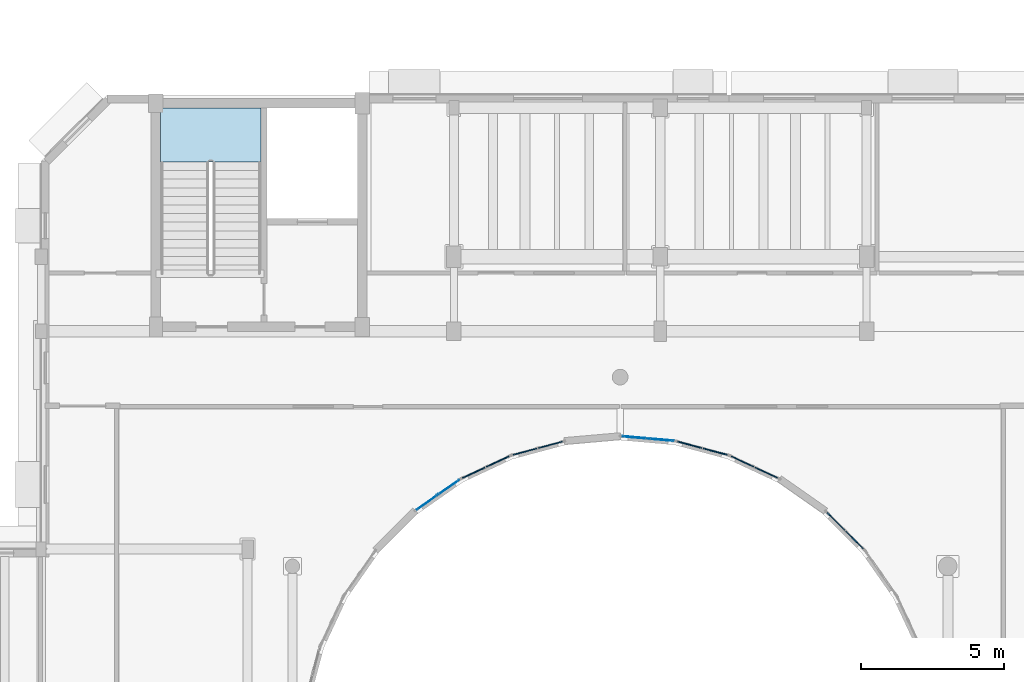
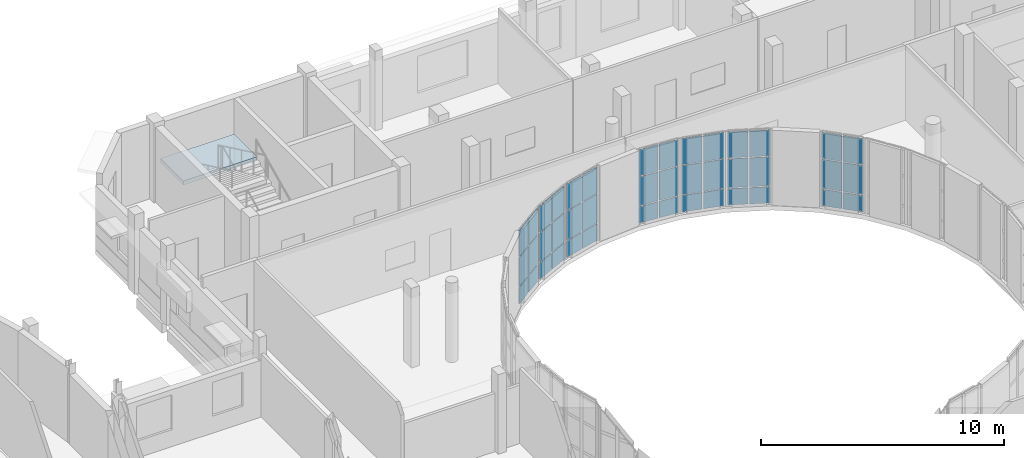
# One storey, part 70 of 105: 42 plates, 1 slab, 8 elements without a shape of their own.
"""IFC4 building model written with IfcOpenShell, lengths in metres."""

from ifc_helpers import new_model, si_unit, direction, frame, origin, origin_2d, place, context, subcontext, project, spatial, polyline, rectangle, outline, extrude, material, layer, layer_set, type_object, element, aggregate, save


model = new_model("IFC4")

# Units and contexts
model_context = context("Model", 3, precision=1e-05, world=origin(), true_north=direction((0.0, 1.0)))
body_context = subcontext(model_context, "Body", "Model", "MODEL_VIEW")
ifc_project = project(units=[si_unit("LENGTHUNIT", "METRE"), si_unit("AREAUNIT", "SQUARE_METRE"), si_unit("VOLUMEUNIT", "CUBIC_METRE"), si_unit("PLANEANGLEUNIT", "RADIAN"), si_unit("MASSUNIT", "GRAM", prefix="KILO")], contexts=[model_context])

# Site, building, storey
site_placement = place(None, origin())
site = spatial("IfcSite", under=ifc_project, at=site_placement, CompositionType="ELEMENT")
building_placement = place(site_placement, origin())
building = spatial("IfcBuilding", under=site, at=building_placement, Name="Kelanivale Promenade Academy", CompositionType="ELEMENT")
storey_placement = place(building_placement, frame((0.0, 0.0, 4.199951171875)))
storey = spatial("IfcBuildingStorey", under=building, at=storey_placement, Name="L01", CompositionType="ELEMENT", Elevation=4.199951171875)

# Curtain wall, plates
ifc_material_1 = material(Name="Bronze anodised aluminium and solar-control low-E glass", Category="aluminium")
ifc_layer_1 = layer(ifc_material_1, 0.169921875)
ifc_layer_set_1 = layer_set([ifc_layer_1], Name="Bronze anodised aluminium and solar-control low-E glass")
curtain_wall_type_1 = type_object("IfcCurtainWallType", Name="CW-07 Curtain Wall 1350mm Module", PredefinedType="USERDEFINED", material=ifc_layer_set_1)
curtain_wall_1_placement = place(storey_placement, origin())
curtain_wall_1 = element("IfcCurtainWall", 1, at=curtain_wall_1_placement, inside=storey, type_object=curtain_wall_type_1, Name="L01 courtyard curtain wall CW-07", ObjectType="UNITISED GLAZING", PredefinedType="USERDEFINED")
ifc_material_2 = material(Name="Solar-control double glazing 28 mm", Category="glass")
ifc_layer_2 = layer(ifc_material_2, 0.028076171875)
ifc_layer_set_2 = layer_set([ifc_layer_2], Name="Solar-control double glazing 28 mm")
plate_type_1 = type_object("IfcPlateType", Name="CWP-01 Plate 28mm", PredefinedType="CURTAIN_PANEL", material=ifc_layer_set_2)
plate_1_placement = place(storey_placement, frame((71.577392578125, 64.3173828125, 0.05029296875), z_axis=(0.0, 0.0, 1.0), x_axis=(-0.707106781187, 0.707106781187, 0.0)))
plate_1 = element("IfcPlate", 2, at=plate_1_placement, type_object=plate_type_1, Name="CW-07 panel 1.1", PredefinedType="CURTAIN_PANEL", context=body_context, shape_type="SweptSolid", body=[
    extrude(rectangle(XDim=0.852783203125, YDim=0.028076171875, at=origin_2d()), origin(), (0.0, 0.0, 1.0), 0.824951171875),
])
plate_2_placement = place(storey_placement, frame((71.577392578125, 64.3173828125, 0.92529296875), z_axis=(0.0, 0.0, 1.0), x_axis=(-0.707106781187, 0.707106781187, 0.0)))
plate_2 = element("IfcPlate", 3, at=plate_2_placement, type_object=plate_type_1, Name="CW-07 panel 1.2", PredefinedType="CURTAIN_PANEL", context=body_context, shape_type="SweptSolid", body=[
    extrude(rectangle(XDim=0.852783203125, YDim=0.028076171875, at=origin_2d()), origin(), (0.0, 0.0, 1.0), 1.449951171875),
])
plate_3_placement = place(storey_placement, frame((71.577392578125, 64.3173828125, 2.42529296875), z_axis=(0.0, 0.0, 1.0), x_axis=(-0.707106781187, 0.707106781187, 0.0)))
plate_3 = element("IfcPlate", 4, at=plate_3_placement, type_object=plate_type_1, Name="CW-07 panel 1.3", PredefinedType="CURTAIN_PANEL", context=body_context, shape_type="SweptSolid", body=[
    extrude(rectangle(XDim=0.852783203125, YDim=0.028076171875, at=origin_2d()), origin(), (0.0, 0.0, 1.0), 1.304931640625),
])
plate_4_placement = place(storey_placement, frame((70.928466796875, 64.966552734375, 0.05029296875), z_axis=(0.0, 0.0, 1.0), x_axis=(-0.707106781187, 0.707106781187, 0.0)))
plate_4 = element("IfcPlate", 5, at=plate_4_placement, type_object=plate_type_1, Name="CW-07 panel 2.1", PredefinedType="CURTAIN_PANEL", context=body_context, shape_type="SweptSolid", body=[
    extrude(rectangle(XDim=0.852783203125, YDim=0.028076171875, at=origin_2d()), origin(), (0.0, 0.0, 1.0), 0.824951171875),
])
plate_5_placement = place(storey_placement, frame((70.928466796875, 64.966552734375, 0.92529296875), z_axis=(0.0, 0.0, 1.0), x_axis=(-0.707106781187, 0.707106781187, 0.0)))
plate_5 = element("IfcPlate", 6, at=plate_5_placement, type_object=plate_type_1, Name="CW-07 panel 2.2", PredefinedType="CURTAIN_PANEL", context=body_context, shape_type="SweptSolid", body=[
    extrude(rectangle(XDim=0.852783203125, YDim=0.028076171875, at=origin_2d()), origin(), (0.0, 0.0, 1.0), 1.449951171875),
])
plate_6_placement = place(storey_placement, frame((70.928466796875, 64.966552734375, 2.42529296875), z_axis=(0.0, 0.0, 1.0), x_axis=(-0.707106781187, 0.707106781187, 0.0)))
plate_6 = element("IfcPlate", 7, at=plate_6_placement, type_object=plate_type_1, Name="CW-07 panel 2.3", PredefinedType="CURTAIN_PANEL", context=body_context, shape_type="SweptSolid", body=[
    extrude(rectangle(XDim=0.852783203125, YDim=0.028076171875, at=origin_2d()), origin(), (0.0, 0.0, 1.0), 1.304931640625),
])
aggregate(curtain_wall_1, [plate_1, plate_2, plate_3, plate_4, plate_5, plate_6])

ifc_layer_3 = layer(ifc_material_1, 0.169921875)
ifc_layer_set_3 = layer_set([ifc_layer_3], Name="Bronze anodised aluminium and solar-control low-E glass")
curtain_wall_type_2 = type_object("IfcCurtainWallType", Name="CW-10 Curtain Wall 1800mm Module", PredefinedType="USERDEFINED", material=ifc_layer_set_3)
curtain_wall_2_placement = place(storey_placement, origin())
curtain_wall_2 = element("IfcCurtainWall", 8, at=curtain_wall_2_placement, inside=storey, type_object=curtain_wall_type_2, Name="L01 courtyard curtain wall CW-10", ObjectType="UNITISED GLAZING", PredefinedType="USERDEFINED")
plate_7_placement = place(storey_placement, frame((64.833251953125, 67.814697265625, 0.05029296875), z_axis=(0.0, 0.0, 1.0), x_axis=(-0.996185153601, 0.087264768066, 0.0)))
plate_7 = element("IfcPlate", 9, at=plate_7_placement, type_object=plate_type_1, Name="CW-10 panel 1.1", PredefinedType="CURTAIN_PANEL", context=body_context, shape_type="SweptSolid", body=[
    extrude(rectangle(XDim=0.861083984375, YDim=0.028076171875, at=origin_2d()), origin(), (0.0, 0.0, 1.0), 0.824951171875),
])
plate_8_placement = place(storey_placement, frame((64.833251953125, 67.814697265625, 0.92529296875), z_axis=(0.0, 0.0, 1.0), x_axis=(-0.996185153601, 0.087264768066, 0.0)))
plate_8 = element("IfcPlate", 10, at=plate_8_placement, type_object=plate_type_1, Name="CW-10 panel 1.2", PredefinedType="CURTAIN_PANEL", context=body_context, shape_type="SweptSolid", body=[
    extrude(rectangle(XDim=0.861083984375, YDim=0.028076171875, at=origin_2d()), origin(), (0.0, 0.0, 1.0), 1.449951171875),
])
plate_9_placement = place(storey_placement, frame((64.833251953125, 67.814697265625, 2.42529296875), z_axis=(0.0, 0.0, 1.0), x_axis=(-0.996185153601, 0.087264768066, 0.0)))
plate_9 = element("IfcPlate", 11, at=plate_9_placement, type_object=plate_type_1, Name="CW-10 panel 1.3", PredefinedType="CURTAIN_PANEL", context=body_context, shape_type="SweptSolid", body=[
    extrude(rectangle(XDim=0.861083984375, YDim=0.028076171875, at=origin_2d()), origin(), (0.0, 0.0, 1.0), 1.304931640625),
])
plate_10_placement = place(storey_placement, frame((63.915771484375, 67.895263671875, 0.05029296875), z_axis=(0.0, 0.0, 1.0), x_axis=(-0.996185153601, 0.087264768066, 0.0)))
plate_10 = element("IfcPlate", 12, at=plate_10_placement, type_object=plate_type_1, Name="CW-10 panel 2.1", PredefinedType="CURTAIN_PANEL", context=body_context, shape_type="SweptSolid", body=[
    extrude(rectangle(XDim=0.861083984375, YDim=0.028076171875, at=origin_2d()), origin(), (0.0, 0.0, 1.0), 0.824951171875),
])
plate_11_placement = place(storey_placement, frame((63.915771484375, 67.895263671875, 0.92529296875), z_axis=(0.0, 0.0, 1.0), x_axis=(-0.996185153601, 0.087264768066, 0.0)))
plate_11 = element("IfcPlate", 13, at=plate_11_placement, type_object=plate_type_1, Name="CW-10 panel 2.2", PredefinedType="CURTAIN_PANEL", context=body_context, shape_type="SweptSolid", body=[
    extrude(rectangle(XDim=0.861083984375, YDim=0.028076171875, at=origin_2d()), origin(), (0.0, 0.0, 1.0), 1.449951171875),
])
plate_12_placement = place(storey_placement, frame((63.915771484375, 67.895263671875, 2.42529296875), z_axis=(0.0, 0.0, 1.0), x_axis=(-0.996185153601, 0.087264768066, 0.0)))
plate_12 = element("IfcPlate", 14, at=plate_12_placement, type_object=plate_type_1, Name="CW-10 panel 2.3", PredefinedType="CURTAIN_PANEL", context=body_context, shape_type="SweptSolid", body=[
    extrude(rectangle(XDim=0.861083984375, YDim=0.028076171875, at=origin_2d()), origin(), (0.0, 0.0, 1.0), 1.304931640625),
])
aggregate(curtain_wall_2, [plate_7, plate_8, plate_9, plate_10, plate_11, plate_12])

ifc_layer_4 = layer(ifc_material_1, 0.169921875)
ifc_layer_set_4 = layer_set([ifc_layer_4], Name="Bronze anodised aluminium and solar-control low-E glass")
curtain_wall_type_3 = type_object("IfcCurtainWallType", Name="CW-13 Curtain Wall 1350mm Module", PredefinedType="USERDEFINED", material=ifc_layer_set_4)
curtain_wall_3_placement = place(storey_placement, origin())
curtain_wall_3 = element("IfcCurtainWall", 15, at=curtain_wall_3_placement, inside=storey, type_object=curtain_wall_type_3, Name="L01 courtyard curtain wall CW-13", ObjectType="COURTYARD SCREEN GLAZING", PredefinedType="USERDEFINED")
plate_13_placement = place(storey_placement, frame((57.41796875, 66.15966796875, 0.05029296875), z_axis=(0.0, 0.0, 1.0), x_axis=(-0.819305982099, -0.573356527561, 0.0)))
plate_13 = element("IfcPlate", 16, at=plate_13_placement, type_object=plate_type_1, Name="CW-13 panel 1.1", PredefinedType="CURTAIN_PANEL", context=body_context, shape_type="SweptSolid", body=[
    extrude(rectangle(XDim=0.861328125, YDim=0.028076171875, at=origin_2d()), origin(), (0.0, 0.0, 1.0), 0.824951171875),
])
plate_14_placement = place(storey_placement, frame((57.41796875, 66.15966796875, 0.92529296875), z_axis=(0.0, 0.0, 1.0), x_axis=(-0.819305982099, -0.573356527561, 0.0)))
plate_14 = element("IfcPlate", 17, at=plate_14_placement, type_object=plate_type_1, Name="CW-13 panel 1.2", PredefinedType="CURTAIN_PANEL", context=body_context, shape_type="SweptSolid", body=[
    extrude(rectangle(XDim=0.861328125, YDim=0.028076171875, at=origin_2d()), origin(), (0.0, 0.0, 1.0), 1.449951171875),
])
plate_15_placement = place(storey_placement, frame((57.41796875, 66.15966796875, 2.42529296875), z_axis=(0.0, 0.0, 1.0), x_axis=(-0.819305982099, -0.573356527561, 0.0)))
plate_15 = element("IfcPlate", 18, at=plate_15_placement, type_object=plate_type_1, Name="CW-13 panel 1.3", PredefinedType="CURTAIN_PANEL", context=body_context, shape_type="SweptSolid", body=[
    extrude(rectangle(XDim=0.861328125, YDim=0.028076171875, at=origin_2d()), origin(), (0.0, 0.0, 1.0), 1.304931640625),
])
plate_16_placement = place(storey_placement, frame((56.6630859375, 65.63134765625, 0.05029296875), z_axis=(0.0, 0.0, 1.0), x_axis=(-0.819305982099, -0.573356527561, 0.0)))
plate_16 = element("IfcPlate", 19, at=plate_16_placement, type_object=plate_type_1, Name="CW-13 panel 2.1", PredefinedType="CURTAIN_PANEL", context=body_context, shape_type="SweptSolid", body=[
    extrude(rectangle(XDim=0.861328125, YDim=0.028076171875, at=origin_2d()), origin(), (0.0, 0.0, 1.0), 0.824951171875),
])
plate_17_placement = place(storey_placement, frame((56.6630859375, 65.63134765625, 0.92529296875), z_axis=(0.0, 0.0, 1.0), x_axis=(-0.819305982099, -0.573356527561, 0.0)))
plate_17 = element("IfcPlate", 20, at=plate_17_placement, type_object=plate_type_1, Name="CW-13 panel 2.2", PredefinedType="CURTAIN_PANEL", context=body_context, shape_type="SweptSolid", body=[
    extrude(rectangle(XDim=0.861328125, YDim=0.028076171875, at=origin_2d()), origin(), (0.0, 0.0, 1.0), 1.449951171875),
])
plate_18_placement = place(storey_placement, frame((56.6630859375, 65.63134765625, 2.42529296875), z_axis=(0.0, 0.0, 1.0), x_axis=(-0.819305982099, -0.573356527561, 0.0)))
plate_18 = element("IfcPlate", 21, at=plate_18_placement, type_object=plate_type_1, Name="CW-13 panel 2.3", PredefinedType="CURTAIN_PANEL", context=body_context, shape_type="SweptSolid", body=[
    extrude(rectangle(XDim=0.861328125, YDim=0.028076171875, at=origin_2d()), origin(), (0.0, 0.0, 1.0), 1.304931640625),
])
aggregate(curtain_wall_3, [plate_13, plate_14, plate_15, plate_16, plate_17, plate_18])

ifc_layer_5 = layer(ifc_material_1, 0.179931640625)
ifc_layer_set_5 = layer_set([ifc_layer_5], Name="Bronze anodised aluminium and solar-control low-E glass")
curtain_wall_type_4 = type_object("IfcCurtainWallType", Name="CW-08 Curtain Wall 1500mm Module", PredefinedType="USERDEFINED", material=ifc_layer_set_5)
curtain_wall_4_placement = place(storey_placement, origin())
curtain_wall_4 = element("IfcCurtainWall", 22, at=curtain_wall_4_placement, inside=storey, type_object=curtain_wall_type_4, Name="L01 courtyard curtain wall CW-08", ObjectType="UNITISED GLAZING", PredefinedType="USERDEFINED")
ifc_material_3 = material(Name="Acoustic laminated double glazing 36 mm", Category="glass")
ifc_layer_6 = layer(ifc_material_3, 0.035888671875)
ifc_layer_set_6 = layer_set([ifc_layer_6], Name="Acoustic laminated double glazing 36 mm")
plate_type_2 = type_object("IfcPlateType", Name="CWP-02 Plate 36mm", PredefinedType="CURTAIN_PANEL", material=ifc_layer_set_6)
plate_19_placement = place(storey_placement, frame((68.499267578125, 66.667236328125, 0.06005859375), z_axis=(0.0, 0.0, 1.0), x_axis=(-0.906089128146, 0.423086860887, 0.0)))
plate_19 = element("IfcPlate", 23, at=plate_19_placement, type_object=plate_type_2, Name="CW-08 panel 1.1", PredefinedType="CURTAIN_PANEL", context=body_context, shape_type="SweptSolid", body=[
    extrude(rectangle(XDim=0.853759765625, YDim=0.035888671875, at=origin_2d()), origin(), (0.0, 0.0, 1.0), 0.81005859375),
])
plate_20_placement = place(storey_placement, frame((68.499267578125, 66.667236328125, 0.93017578125), z_axis=(0.0, 0.0, 1.0), x_axis=(-0.906089128146, 0.423086860887, 0.0)))
plate_20 = element("IfcPlate", 24, at=plate_20_placement, type_object=plate_type_2, Name="CW-08 panel 1.2", PredefinedType="CURTAIN_PANEL", context=body_context, shape_type="SweptSolid", body=[
    extrude(rectangle(XDim=0.853759765625, YDim=0.035888671875, at=origin_2d()), origin(), (0.0, 0.0, 1.0), 1.43994140625),
])
plate_21_placement = place(storey_placement, frame((68.499267578125, 66.667236328125, 2.429931640625), z_axis=(0.0, 0.0, 1.0), x_axis=(-0.906089128146, 0.423086860887, 0.0)))
plate_21 = element("IfcPlate", 25, at=plate_21_placement, type_object=plate_type_2, Name="CW-08 panel 1.3", PredefinedType="CURTAIN_PANEL", context=body_context, shape_type="SweptSolid", body=[
    extrude(rectangle(XDim=0.853759765625, YDim=0.035888671875, at=origin_2d()), origin(), (0.0, 0.0, 1.0), 1.2900390625),
])
plate_22_placement = place(storey_placement, frame((67.666748046875, 67.055908203125, 0.06005859375), z_axis=(0.0, 0.0, 1.0), x_axis=(-0.906089128146, 0.423086860887, 0.0)))
plate_22 = element("IfcPlate", 26, at=plate_22_placement, type_object=plate_type_2, Name="CW-08 panel 2.1", PredefinedType="CURTAIN_PANEL", context=body_context, shape_type="SweptSolid", body=[
    extrude(rectangle(XDim=0.853759765625, YDim=0.035888671875, at=origin_2d()), origin(), (0.0, 0.0, 1.0), 0.81005859375),
])
plate_23_placement = place(storey_placement, frame((67.666748046875, 67.055908203125, 0.93017578125), z_axis=(0.0, 0.0, 1.0), x_axis=(-0.906089128146, 0.423086860887, 0.0)))
plate_23 = element("IfcPlate", 27, at=plate_23_placement, type_object=plate_type_2, Name="CW-08 panel 2.2", PredefinedType="CURTAIN_PANEL", context=body_context, shape_type="SweptSolid", body=[
    extrude(rectangle(XDim=0.853759765625, YDim=0.035888671875, at=origin_2d()), origin(), (0.0, 0.0, 1.0), 1.43994140625),
])
plate_24_placement = place(storey_placement, frame((67.666748046875, 67.055908203125, 2.429931640625), z_axis=(0.0, 0.0, 1.0), x_axis=(-0.906089128146, 0.423086860887, 0.0)))
plate_24 = element("IfcPlate", 28, at=plate_24_placement, type_object=plate_type_2, Name="CW-08 panel 2.3", PredefinedType="CURTAIN_PANEL", context=body_context, shape_type="SweptSolid", body=[
    extrude(rectangle(XDim=0.853759765625, YDim=0.035888671875, at=origin_2d()), origin(), (0.0, 0.0, 1.0), 1.2900390625),
])
aggregate(curtain_wall_4, [plate_19, plate_20, plate_21, plate_22, plate_23, plate_24])

ifc_layer_7 = layer(ifc_material_1, 0.179931640625)
ifc_layer_set_7 = layer_set([ifc_layer_7], Name="Bronze anodised aluminium and solar-control low-E glass")
curtain_wall_type_5 = type_object("IfcCurtainWallType", Name="CW-11 Curtain Wall 1950mm Module", PredefinedType="USERDEFINED", material=ifc_layer_set_7)
curtain_wall_5_placement = place(storey_placement, origin())
curtain_wall_5 = element("IfcCurtainWall", 29, at=curtain_wall_5_placement, inside=storey, type_object=curtain_wall_type_5, Name="L01 courtyard curtain wall CW-11", ObjectType="UNITISED GLAZING", PredefinedType="USERDEFINED")
plate_25_placement = place(storey_placement, frame((60.96484375, 67.63671875, 0.05029296875), z_axis=(0.0, 0.0, 1.0), x_axis=(-0.965990259056, -0.258578458902, 0.0)))
plate_25 = element("IfcPlate", 30, at=plate_25_placement, type_object=plate_type_2, Name="CW-11 panel 1.1", PredefinedType="CURTAIN_PANEL", context=body_context, shape_type="SweptSolid", body=[
    extrude(rectangle(XDim=0.853759765625, YDim=0.035888671875, at=origin_2d()), origin(), (0.0, 0.0, 1.0), 0.824951171875),
])
plate_26_placement = place(storey_placement, frame((60.96484375, 67.63671875, 0.92529296875), z_axis=(0.0, 0.0, 1.0), x_axis=(-0.965990259056, -0.258578458902, 0.0)))
plate_26 = element("IfcPlate", 31, at=plate_26_placement, type_object=plate_type_2, Name="CW-11 panel 1.2", PredefinedType="CURTAIN_PANEL", context=body_context, shape_type="SweptSolid", body=[
    extrude(rectangle(XDim=0.853759765625, YDim=0.035888671875, at=origin_2d()), origin(), (0.0, 0.0, 1.0), 1.449951171875),
])
plate_27_placement = place(storey_placement, frame((60.96484375, 67.63671875, 2.42529296875), z_axis=(0.0, 0.0, 1.0), x_axis=(-0.965990259056, -0.258578458902, 0.0)))
plate_27 = element("IfcPlate", 32, at=plate_27_placement, type_object=plate_type_2, Name="CW-11 panel 1.3", PredefinedType="CURTAIN_PANEL", context=body_context, shape_type="SweptSolid", body=[
    extrude(rectangle(XDim=0.853759765625, YDim=0.035888671875, at=origin_2d()), origin(), (0.0, 0.0, 1.0), 1.304931640625),
])
plate_28_placement = place(storey_placement, frame((60.0771484375, 67.399169921875, 0.05029296875), z_axis=(0.0, 0.0, 1.0), x_axis=(-0.965990259056, -0.258578458902, 0.0)))
plate_28 = element("IfcPlate", 33, at=plate_28_placement, type_object=plate_type_2, Name="CW-11 panel 2.1", PredefinedType="CURTAIN_PANEL", context=body_context, shape_type="SweptSolid", body=[
    extrude(rectangle(XDim=0.853759765625, YDim=0.035888671875, at=origin_2d()), origin(), (0.0, 0.0, 1.0), 0.824951171875),
])
plate_29_placement = place(storey_placement, frame((60.0771484375, 67.399169921875, 0.92529296875), z_axis=(0.0, 0.0, 1.0), x_axis=(-0.965990259056, -0.258578458902, 0.0)))
plate_29 = element("IfcPlate", 34, at=plate_29_placement, type_object=plate_type_2, Name="CW-11 panel 2.2", PredefinedType="CURTAIN_PANEL", context=body_context, shape_type="SweptSolid", body=[
    extrude(rectangle(XDim=0.853759765625, YDim=0.035888671875, at=origin_2d()), origin(), (0.0, 0.0, 1.0), 1.449951171875),
])
plate_30_placement = place(storey_placement, frame((60.0771484375, 67.399169921875, 2.42529296875), z_axis=(0.0, 0.0, 1.0), x_axis=(-0.965990259056, -0.258578458902, 0.0)))
plate_30 = element("IfcPlate", 35, at=plate_30_placement, type_object=plate_type_2, Name="CW-11 panel 2.3", PredefinedType="CURTAIN_PANEL", context=body_context, shape_type="SweptSolid", body=[
    extrude(rectangle(XDim=0.853759765625, YDim=0.035888671875, at=origin_2d()), origin(), (0.0, 0.0, 1.0), 1.304931640625),
])
aggregate(curtain_wall_5, [plate_25, plate_26, plate_27, plate_28, plate_29, plate_30])

ifc_layer_8 = layer(ifc_material_1, 0.159912109375)
ifc_layer_set_8 = layer_set([ifc_layer_8], Name="Bronze anodised aluminium and solar-control low-E glass")
curtain_wall_type_6 = type_object("IfcCurtainWallType", Name="CW-09 Curtain Wall 1650mm Module", PredefinedType="USERDEFINED", material=ifc_layer_set_8)
curtain_wall_6_placement = place(storey_placement, origin())
curtain_wall_6 = element("IfcCurtainWall", 36, at=curtain_wall_6_placement, inside=storey, type_object=curtain_wall_type_6, Name="L01 courtyard curtain wall CW-09", ObjectType="UNITISED GLAZING", PredefinedType="USERDEFINED")
ifc_material_4 = material(Name="Insulated bronze aluminium spandrel panel 44 mm", Category="aluminium")
ifc_layer_9 = layer(ifc_material_4, 0.0439453125)
ifc_layer_set_9 = layer_set([ifc_layer_9], Name="Insulated bronze aluminium spandrel panel 44 mm")
plate_type_3 = type_object("IfcPlateType", Name="CWP-03 Plate 44mm", PredefinedType="CURTAIN_PANEL", material=ifc_layer_set_9)
plate_31_placement = place(storey_placement, frame((66.720458984375, 67.39990234375, 0.05029296875), z_axis=(0.0, 0.0, 1.0), x_axis=(-0.96595736195, 0.258701323721, 0.0)))
plate_31 = element("IfcPlate", 37, at=plate_31_placement, type_object=plate_type_3, Name="CW-09 panel 1.1", PredefinedType="CURTAIN_PANEL", context=body_context, shape_type="SweptSolid", body=[
    extrude(rectangle(XDim=0.86865234375, YDim=0.0439453125, at=origin_2d()), origin(), (0.0, 0.0, 1.0), 0.824951171875),
])
plate_32_placement = place(storey_placement, frame((66.720458984375, 67.39990234375, 0.92529296875), z_axis=(0.0, 0.0, 1.0), x_axis=(-0.96595736195, 0.258701323721, 0.0)))
plate_32 = element("IfcPlate", 38, at=plate_32_placement, type_object=plate_type_3, Name="CW-09 panel 1.2", PredefinedType="CURTAIN_PANEL", context=body_context, shape_type="SweptSolid", body=[
    extrude(rectangle(XDim=0.86865234375, YDim=0.0439453125, at=origin_2d()), origin(), (0.0, 0.0, 1.0), 1.449951171875),
])
plate_33_placement = place(storey_placement, frame((66.720458984375, 67.39990234375, 2.42529296875), z_axis=(0.0, 0.0, 1.0), x_axis=(-0.96595736195, 0.258701323721, 0.0)))
plate_33 = element("IfcPlate", 39, at=plate_33_placement, type_object=plate_type_3, Name="CW-09 panel 1.3", PredefinedType="CURTAIN_PANEL", context=body_context, shape_type="SweptSolid", body=[
    extrude(rectangle(XDim=0.86865234375, YDim=0.0439453125, at=origin_2d()), origin(), (0.0, 0.0, 1.0), 1.304931640625),
])
plate_34_placement = place(storey_placement, frame((65.823486328125, 67.64013671875, 0.05029296875), z_axis=(0.0, 0.0, 1.0), x_axis=(-0.96595736195, 0.258701323721, 0.0)))
plate_34 = element("IfcPlate", 40, at=plate_34_placement, type_object=plate_type_3, Name="CW-09 panel 2.1", PredefinedType="CURTAIN_PANEL", context=body_context, shape_type="SweptSolid", body=[
    extrude(rectangle(XDim=0.86865234375, YDim=0.0439453125, at=origin_2d()), origin(), (0.0, 0.0, 1.0), 0.824951171875),
])
plate_35_placement = place(storey_placement, frame((65.823486328125, 67.64013671875, 0.92529296875), z_axis=(0.0, 0.0, 1.0), x_axis=(-0.96595736195, 0.258701323721, 0.0)))
plate_35 = element("IfcPlate", 41, at=plate_35_placement, type_object=plate_type_3, Name="CW-09 panel 2.2", PredefinedType="CURTAIN_PANEL", context=body_context, shape_type="SweptSolid", body=[
    extrude(rectangle(XDim=0.86865234375, YDim=0.0439453125, at=origin_2d()), origin(), (0.0, 0.0, 1.0), 1.449951171875),
])
plate_36_placement = place(storey_placement, frame((65.823486328125, 67.64013671875, 2.42529296875), z_axis=(0.0, 0.0, 1.0), x_axis=(-0.96595736195, 0.258701323721, 0.0)))
plate_36 = element("IfcPlate", 42, at=plate_36_placement, type_object=plate_type_3, Name="CW-09 panel 2.3", PredefinedType="CURTAIN_PANEL", context=body_context, shape_type="SweptSolid", body=[
    extrude(rectangle(XDim=0.86865234375, YDim=0.0439453125, at=origin_2d()), origin(), (0.0, 0.0, 1.0), 1.304931640625),
])
aggregate(curtain_wall_6, [plate_31, plate_32, plate_33, plate_34, plate_35, plate_36])

ifc_layer_10 = layer(ifc_material_1, 0.159912109375)
ifc_layer_set_10 = layer_set([ifc_layer_10], Name="Bronze anodised aluminium and solar-control low-E glass")
curtain_wall_type_7 = type_object("IfcCurtainWallType", Name="CW-12 Curtain Wall 1200mm Module", PredefinedType="USERDEFINED", material=ifc_layer_set_10)
curtain_wall_7_placement = place(storey_placement, origin())
curtain_wall_7 = element("IfcCurtainWall", 43, at=curtain_wall_7_placement, inside=storey, type_object=curtain_wall_type_7, Name="L01 courtyard curtain wall CW-12", ObjectType="UNITISED GLAZING", PredefinedType="USERDEFINED")
plate_37_placement = place(storey_placement, frame((59.1298828125, 67.054443359375, 0.06005859375), z_axis=(0.0, 0.0, 1.0), x_axis=(-0.906196460032, -0.422856921222, 0.0)))
plate_37 = element("IfcPlate", 44, at=plate_37_placement, type_object=plate_type_3, Name="CW-12 panel 1.1", PredefinedType="CURTAIN_PANEL", context=body_context, shape_type="SweptSolid", body=[
    extrude(rectangle(XDim=0.861572265625, YDim=0.0439453125, at=origin_2d()), origin(), (0.0, 0.0, 1.0), 0.81005859375),
])
plate_38_placement = place(storey_placement, frame((59.1298828125, 67.054443359375, 0.93017578125), z_axis=(0.0, 0.0, 1.0), x_axis=(-0.906196460032, -0.422856921222, 0.0)))
plate_38 = element("IfcPlate", 45, at=plate_38_placement, type_object=plate_type_3, Name="CW-12 panel 1.2", PredefinedType="CURTAIN_PANEL", context=body_context, shape_type="SweptSolid", body=[
    extrude(rectangle(XDim=0.861572265625, YDim=0.0439453125, at=origin_2d()), origin(), (0.0, 0.0, 1.0), 1.43994140625),
])
plate_39_placement = place(storey_placement, frame((59.1298828125, 67.054443359375, 2.429931640625), z_axis=(0.0, 0.0, 1.0), x_axis=(-0.906196460032, -0.422856921222, 0.0)))
plate_39 = element("IfcPlate", 46, at=plate_39_placement, type_object=plate_type_3, Name="CW-12 panel 1.3", PredefinedType="CURTAIN_PANEL", context=body_context, shape_type="SweptSolid", body=[
    extrude(rectangle(XDim=0.861572265625, YDim=0.0439453125, at=origin_2d()), origin(), (0.0, 0.0, 1.0), 1.2900390625),
])
plate_40_placement = place(storey_placement, frame((58.290283203125, 66.66259765625, 0.06005859375), z_axis=(0.0, 0.0, 1.0), x_axis=(-0.906196460032, -0.422856921222, 0.0)))
plate_40 = element("IfcPlate", 47, at=plate_40_placement, type_object=plate_type_3, Name="CW-12 panel 2.1", PredefinedType="CURTAIN_PANEL", context=body_context, shape_type="SweptSolid", body=[
    extrude(rectangle(XDim=0.861572265625, YDim=0.0439453125, at=origin_2d()), origin(), (0.0, 0.0, 1.0), 0.81005859375),
])
plate_41_placement = place(storey_placement, frame((58.290283203125, 66.66259765625, 0.93017578125), z_axis=(0.0, 0.0, 1.0), x_axis=(-0.906196460032, -0.422856921222, 0.0)))
plate_41 = element("IfcPlate", 48, at=plate_41_placement, type_object=plate_type_3, Name="CW-12 panel 2.2", PredefinedType="CURTAIN_PANEL", context=body_context, shape_type="SweptSolid", body=[
    extrude(rectangle(XDim=0.861572265625, YDim=0.0439453125, at=origin_2d()), origin(), (0.0, 0.0, 1.0), 1.43994140625),
])
plate_42_placement = place(storey_placement, frame((58.290283203125, 66.66259765625, 2.429931640625), z_axis=(0.0, 0.0, 1.0), x_axis=(-0.906196460032, -0.422856921222, 0.0)))
plate_42 = element("IfcPlate", 49, at=plate_42_placement, type_object=plate_type_3, Name="CW-12 panel 2.3", PredefinedType="CURTAIN_PANEL", context=body_context, shape_type="SweptSolid", body=[
    extrude(rectangle(XDim=0.861572265625, YDim=0.0439453125, at=origin_2d()), origin(), (0.0, 0.0, 1.0), 1.2900390625),
])
aggregate(curtain_wall_7, [plate_37, plate_38, plate_39, plate_40, plate_41, plate_42])

# Stair, slab
ifc_material_5 = material(Name="Concrete C35/45", Category="concrete")
stair_type = type_object("IfcStairType", Name="ST-T02 Protected dog-leg upper-storey stair", PredefinedType="HALF_TURN_STAIR", material=ifc_material_5)
stair_placement = place(storey_placement, origin())
stair = element("IfcStair", 50, at=stair_placement, inside=storey, type_object=stair_type, Name="L01 ST-04", PredefinedType="HALF_TURN_STAIR")
ifc_layer_11 = layer(ifc_material_5, 0.199951171875)
ifc_layer_set_11 = layer_set([ifc_layer_11], Name="Concrete C35/45")
slab_type = type_object("IfcSlabType", Name="LS-01 Slab 200mm", PredefinedType="LANDING", material=ifc_layer_set_11)
slab_placement = place(storey_placement, frame((0.0, 0.0, 1.800048828125)))
slab = element("IfcSlab", 51, at=slab_placement, type_object=slab_type, Name="ST-04 landing 1", PredefinedType="LANDING", context=body_context, shape_type="SweptSolid", body=[
    extrude(outline(polyline([(50.864990234375, 77.5048828125), (50.864990234375, 79.385009765625), (47.364990234375, 79.385009765625), (47.364990234375, 77.5048828125), (50.864990234375, 77.5048828125)])), origin(), (0.0, 0.0, 1.0), 0.199951171875),
])
aggregate(stair, [slab])

save(model, "model.ifc")
